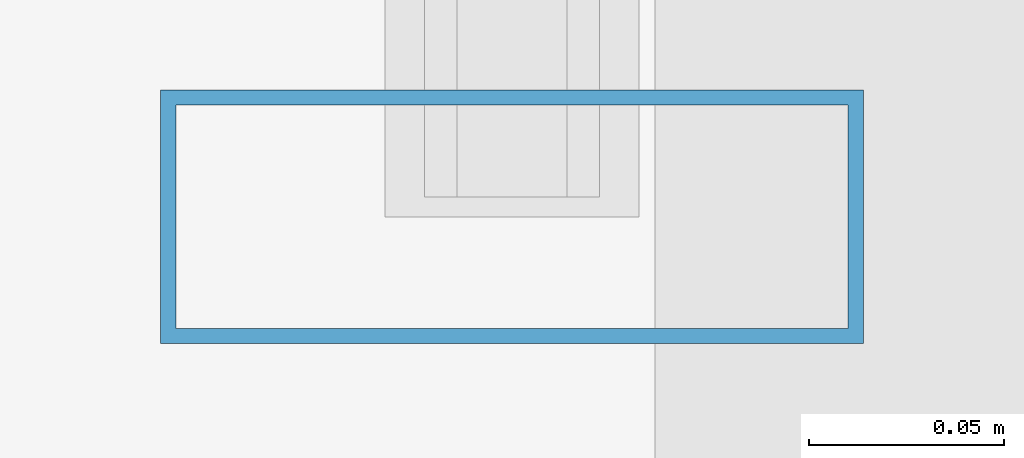
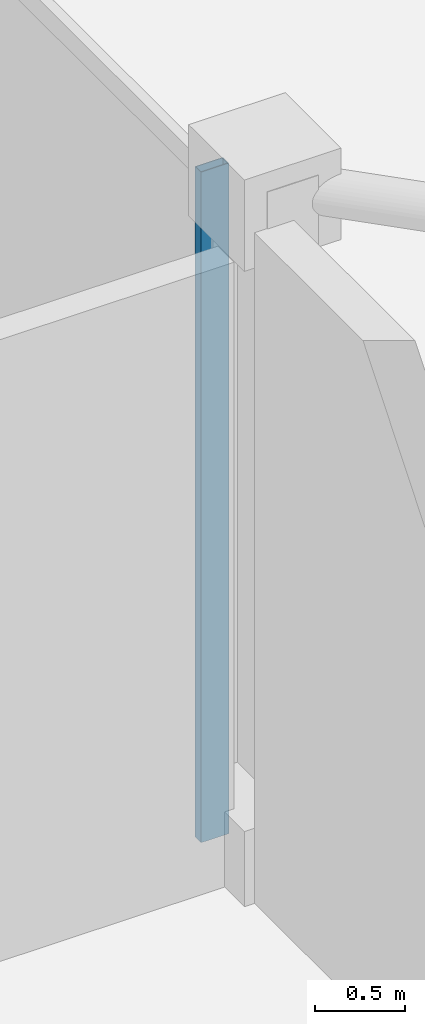
# One storey, part 4 of 17: 1 member, 1 element without a shape of its own.
"""IFC4 building model written with IfcOpenShell, lengths in metres."""

from ifc_helpers import new_model, si_unit, direction, frame, origin, origin_2d, place, context, subcontext, project, spatial, hollow_rectangle, extrude, material, layer, layer_set, material_profile, profile_set, type_object, element, aggregate, save


model = new_model("IFC4")

# Units and contexts
model_context = context("Model", 3, precision=1e-05, world=origin(), true_north=direction((0.0, 1.0)))
body_context = subcontext(model_context, "Body", "Model", "MODEL_VIEW")
ifc_project = project(units=[si_unit("LENGTHUNIT", "METRE"), si_unit("AREAUNIT", "SQUARE_METRE"), si_unit("VOLUMEUNIT", "CUBIC_METRE"), si_unit("PLANEANGLEUNIT", "RADIAN"), si_unit("MASSUNIT", "GRAM", prefix="KILO")], contexts=[model_context])

# Site, building, storey
site_placement = place(None, origin())
site = spatial("IfcSite", under=ifc_project, at=site_placement, CompositionType="ELEMENT")
building_placement = place(site_placement, origin())
building = spatial("IfcBuilding", under=site, at=building_placement, Name="Barlavira Tower and Art Museum", CompositionType="ELEMENT")
storey_placement = place(building_placement, frame((0.0, 0.0, 305.10009765625)))
storey = spatial("IfcBuildingStorey", under=building, at=storey_placement, Name="L80", CompositionType="ELEMENT", Elevation=305.10009765625)

# Curtain wall, member
ifc_material_1 = material(Name="Low-iron coastal laminated glass", Category="glass")
ifc_layer = layer(ifc_material_1, 0.22998046875, Name="Low-iron coastal laminated glass")
ifc_layer_set = layer_set([ifc_layer], Name="Low-iron coastal laminated glass")
curtain_wall_type = type_object("IfcCurtainWallType", Name="Winter-Garden Conservatory Glazed Curtain Wall", PredefinedType="NOTDEFINED", material=ifc_layer_set)
curtain_wall_placement = place(storey_placement, origin())
curtain_wall = element("IfcCurtainWall", 1, at=curtain_wall_placement, inside=storey, type_object=curtain_wall_type, Name="L80 Curtain Wall CW7-L80-E-B2", PredefinedType="NOTDEFINED")
ifc_material_2 = material(Name="Pale anodised aluminium", Category="aluminium")
ifc_material_profile = material_profile(ifc_material_2, hollow_rectangle(XDim=0.06494140625, YDim=0.179931640625, WallThickness=0.00390625, at=origin_2d()), Name="ALU-MULL 65x180x4")
ifc_profile_set = profile_set([ifc_material_profile], Name="Pale anodised aluminium")
member_type = type_object("IfcMemberType", Name="Curtain Wall Pale-Metal Mullion 65x180", PredefinedType="MULLION", material=ifc_profile_set)
member_placement = place(storey_placement, frame((11.3798828125, -7.12060546875, 0.0), z_axis=(0.0, 0.0, 1.0), x_axis=(0.0, 1.0, 0.0)))
member = element("IfcMember", 2, at=member_placement, type_object=member_type, Name="CW7-L80-E-B2 Mullion 0", PredefinedType="MULLION", context=body_context, shape_type="SweptSolid", body=[
    extrude(hollow_rectangle(XDim=0.06494140625, YDim=0.179931640625, WallThickness=0.00390625, at=origin_2d()), origin(), (0.0, 0.0, 1.0), 4.5498046875),
])
aggregate(curtain_wall, [member])

save(model, "model.ifc")
